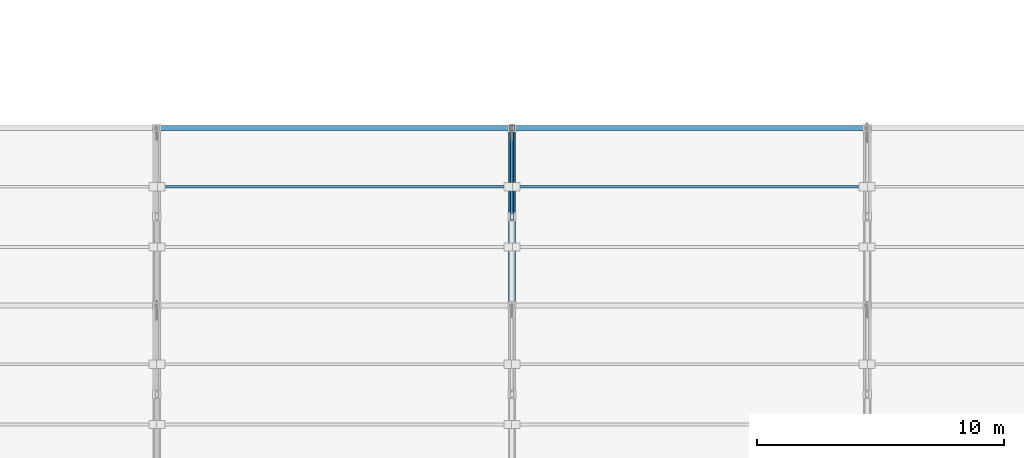
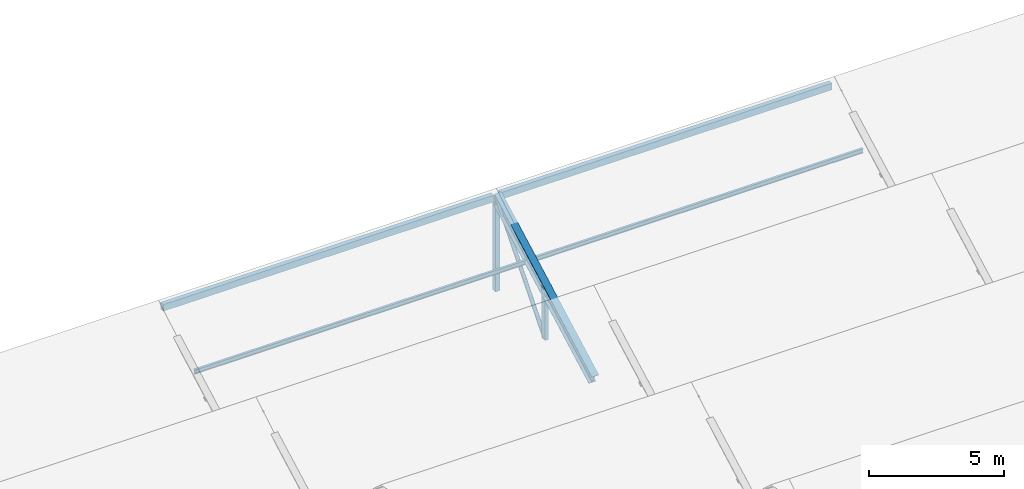
# One storey, part 19 of 51: 8 members.
"""IFC4 building model written with IfcOpenShell, lengths in metres."""

import ifcopenshell
import ifcopenshell.guid

model = None  # the IFC model being written
_history = None  # IfcOwnerHistory: only IFC2X3 demands one
_inside = {}  # id of a spatial element -> (the spatial element, [elements in it])
_under = {}  # id of a project, library or spatial element -> (it, [spatial elements below it])
_declared = {}  # id of a project -> (the project, [libraries it declares])
_typed = {}  # id of a type object -> (the type object, [elements of that type])
_made_of = {}  # id of a material, layer set ... -> (it, [elements and type objects made of it])


def new_model(schema):
    """Start an empty IFC model of exactly this schema.

    Asked for "IFC4X3", IfcOpenShell would pick the latest addendum, in which some entities
    have other attributes; the version numbers below select the first issue.
    IFC2X3 requires an IfcOwnerHistory on every rooted entity: one is made here for all.
    """
    global model, _history
    if schema == "IFC4X3":
        model = ifcopenshell.file(schema_version=(4, 3, 0, 0))
    else:
        model = ifcopenshell.file(schema=schema)
    _inside.clear()
    _under.clear()
    _declared.clear()
    _typed.clear()
    _made_of.clear()
    _history = None
    if model.schema == "IFC2X3":
        org = make("IfcOrganization", Name="unknown")
        user = make(
            "IfcPersonAndOrganization",
            ThePerson=make("IfcPerson", FamilyName="unknown"),
            TheOrganization=org,
        )
        app = make(
            "IfcApplication",
            ApplicationDeveloper=org,
            Version="unknown",
            ApplicationFullName="unknown",
            ApplicationIdentifier="unknown",
        )
        _history = make(
            "IfcOwnerHistory",
            OwningUser=user,
            OwningApplication=app,
            ChangeAction="ADDED",
            CreationDate=0,
        )
    return model


def make(cls, **values):
    """One entity of the class cls with the attributes given. An attribute that is None is left unset."""
    return model.create_entity(
        cls, **{name: value for name, value in values.items() if value is not None}
    )


def rooted(cls, **values):
    """An entity with a GlobalId (a new one), such as an element, a storey or a relation."""
    return make(cls, GlobalId=ifcopenshell.guid.new(), OwnerHistory=_history, **values)


def si_unit(unit_type, name, prefix=None):
    """IfcSIUnit, for example si_unit("LENGTHUNIT", "METRE", prefix="MILLI")."""
    return make("IfcSIUnit", UnitType=unit_type, Prefix=prefix, Name=name)


def assignment(units):
    """IfcUnitAssignment: the units of a project."""
    return None if units is None else make("IfcUnitAssignment", Units=units)


def point(xyz):
    """IfcCartesianPoint."""
    return None if xyz is None else make("IfcCartesianPoint", Coordinates=xyz)


def direction(xyz):
    """IfcDirection."""
    return None if xyz is None else make("IfcDirection", DirectionRatios=xyz)


def frame(location, z_axis=None, x_axis=None):
    """IfcAxis2Placement3D, a coordinate frame: its origin and axes. An axis left out is left unset."""
    return make(
        "IfcAxis2Placement3D",
        Location=point(location),
        Axis=direction(z_axis),
        RefDirection=direction(x_axis),
    )


def frame_2d(location, x_axis=None):
    """IfcAxis2Placement2D, a coordinate frame in the plane: its origin and x axis."""
    return make(
        "IfcAxis2Placement2D", Location=point(location), RefDirection=direction(x_axis)
    )


def origin():
    """The frame at (0, 0, 0) with its axes left unset."""
    return frame((0.0, 0.0, 0.0))


def origin_2d():
    """The frame at (0, 0) in the plane with its x axis left unset."""
    return frame_2d((0.0, 0.0))


def place(relative_to, where):
    """IfcLocalPlacement: puts the frame where relative to a parent placement (None: the world)."""
    return make(
        "IfcLocalPlacement", PlacementRelTo=relative_to, RelativePlacement=where
    )


def context(
    kind, dimensions, precision=None, world=None, true_north=None, identifier=None
):
    """IfcGeometricRepresentationContext, for example the 3D "Model" context."""
    return make(
        "IfcGeometricRepresentationContext",
        ContextIdentifier=identifier,
        ContextType=kind,
        CoordinateSpaceDimension=dimensions,
        Precision=precision,
        WorldCoordinateSystem=world,
        TrueNorth=true_north,
    )


def subcontext(parent, identifier, kind, view, scale=None):
    """IfcGeometricRepresentationSubContext, for example "Body" below "Model"."""
    return make(
        "IfcGeometricRepresentationSubContext",
        ContextIdentifier=identifier,
        ContextType=kind,
        ParentContext=parent,
        TargetScale=scale,
        TargetView=view,
    )


def project(units=None, contexts=None):
    """IfcProject with its units and contexts."""
    return rooted(
        "IfcProject",
        Name="project",
        RepresentationContexts=contexts,
        UnitsInContext=assignment(units),
    )


def spatial(cls, under=None, at=None, **own):
    """A site, building, storey or space (cls), placed at a placement, below another one or the project."""
    s = rooted(cls, ObjectPlacement=at, **own)
    if under is not None:
        _under.setdefault(under.id(), (under, []))[1].append(s)
    return s


def profile(cls, at=None, kind="AREA", **sizes):
    """A parametric profile (cls). Its sizes go by their IFC names, for example OverallWidth=200.0."""
    return make(cls, ProfileType=kind, Position=at, **sizes)


def hollow_rectangle(**sizes):
    """IfcRectangleHollowProfileDef."""
    return profile("IfcRectangleHollowProfileDef", **sizes)


def hollow_circle(**sizes):
    """IfcCircleHollowProfileDef."""
    return profile("IfcCircleHollowProfileDef", **sizes)


def i_section(**sizes):
    """IfcIShapeProfileDef."""
    return profile("IfcIShapeProfileDef", **sizes)


def extrude(swept, where, along, depth):
    """IfcExtrudedAreaSolid: the profile swept, set in the frame where, extruded along a direction by depth."""
    return make(
        "IfcExtrudedAreaSolid",
        SweptArea=swept,
        Position=where,
        ExtrudedDirection=direction(along),
        Depth=depth,
    )


def shape(context_of_items, identifier, shape_type, items):
    """IfcShapeRepresentation: the items that make up one representation, for example the "Body"."""
    return make(
        "IfcShapeRepresentation",
        ContextOfItems=context_of_items,
        RepresentationIdentifier=identifier,
        RepresentationType=shape_type,
        Items=items,
    )


def material(Name=None, Category=None):
    """IfcMaterial."""
    return make("IfcMaterial", Name=Name, Category=Category)


def material_profile(
    of_material, cross_section, Name=None, Category=None, Priority=None
):
    """IfcMaterialProfile: a cross section and its material."""
    return make(
        "IfcMaterialProfile",
        Name=Name,
        Material=of_material,
        Profile=cross_section,
        Priority=Priority,
        Category=Category,
    )


def profile_set(profiles, Name=None, composite=None):
    """IfcMaterialProfileSet."""
    return make(
        "IfcMaterialProfileSet",
        Name=Name,
        MaterialProfiles=profiles,
        CompositeProfile=composite,
    )


def made_of(thing, what):
    """Note that an element or type object is made of a material, layer set ...; save() writes the relation."""
    if what is not None:
        _made_of.setdefault(what.id(), (what, []))[1].append(thing)
    return thing


def type_object(cls, material=None, **own):
    """A type object (cls), such as IfcWallType, which elements share."""
    return made_of(rooted(cls, **own), material)


def element(
    cls,
    number,
    at=None,
    inside=None,
    cuts=None,
    type_object=None,
    material=None,
    context=None,
    identifier="Body",
    shape_type=None,
    held_by="IfcProductDefinitionShape",
    body=None,
    shapes=None,
    **own,
):
    """One element of the class cls, such as IfcWall. Its Tag is "e" and its number.

    at: its placement. inside: the storey or other place that contains it. cuts: it is an
    opening in that element (IfcRelVoidsElement). A single representation is given by context,
    identifier, shape_type and body (its items); several are given by shapes. held_by: the class
    of the entity that holds the representations. save() writes the other relations.
    """
    e = rooted(cls, Tag="e%d" % number, ObjectPlacement=at, **own)
    if body is not None:
        shapes = [shape(context, identifier, shape_type, body)]
    if shapes is not None:
        e.Representation = make(held_by, Representations=shapes)
    if inside is not None:
        _inside.setdefault(inside.id(), (inside, []))[1].append(e)
    if cuts is not None:
        rooted(
            "IfcRelVoidsElement", RelatingBuildingElement=cuts, RelatedOpeningElement=e
        )
    if type_object is not None:
        _typed.setdefault(type_object.id(), (type_object, []))[1].append(e)
    return made_of(e, material)


def aggregate(whole, parts):
    """IfcRelAggregates: a whole, such as a stair, and the parts it consists of."""
    return rooted("IfcRelAggregates", RelatingObject=whole, RelatedObjects=parts)


def save(model, path):
    """Write the relations noted so far, then the file.

    IfcRelAggregates (storeys below a building ...), IfcRelContainedInSpatialStructure (elements
    in a storey), IfcRelDefinesByType, IfcRelAssociatesMaterial and IfcRelDeclares: one each for
    every whole, place, type object, material and project.
    """
    for whole, parts in _under.values():
        aggregate(whole, parts)
    for where, things in _inside.values():
        rooted(
            "IfcRelContainedInSpatialStructure",
            RelatedElements=things,
            RelatingStructure=where,
        )
    for kind, things in _typed.values():
        rooted("IfcRelDefinesByType", RelatedObjects=things, RelatingType=kind)
    for what, things in _made_of.values():
        rooted("IfcRelAssociatesMaterial", RelatedObjects=things, RelatingMaterial=what)
    for by, libraries in _declared.values():
        rooted("IfcRelDeclares", RelatingContext=by, RelatedDefinitions=libraries)
    model.write(path)


model = new_model("IFC4")

# Units and contexts
model_context = context("Model", 3, precision=1e-05, world=origin(), true_north=direction((0.0, 1.0)))
body_context = subcontext(model_context, "Body", "Model", "MODEL_VIEW")
ifc_project = project(units=[si_unit("LENGTHUNIT", "METRE"), si_unit("AREAUNIT", "SQUARE_METRE"), si_unit("VOLUMEUNIT", "CUBIC_METRE"), si_unit("PLANEANGLEUNIT", "RADIAN"), si_unit("MASSUNIT", "GRAM", prefix="KILO")], contexts=[model_context])

# Site, building, storey
site_placement = place(None, origin())
site = spatial("IfcSite", under=ifc_project, at=site_placement, CompositionType="ELEMENT")
building_placement = place(site_placement, origin())
building = spatial("IfcBuilding", under=site, at=building_placement, Name="Valkovuoma Quantum and Materials Research Institute", CompositionType="ELEMENT")
storey_placement = place(building_placement, frame((0.0, 0.0, 17.280029296875)))
storey = spatial("IfcBuildingStorey", under=building, at=storey_placement, Name="L04", CompositionType="ELEMENT", Elevation=17.280029296875)

# Members
ifc_material_1 = material(Name="Steel S355J2H", Category="steel")
ifc_material_profile_1 = material_profile(ifc_material_1, hollow_circle(Radius=0.084228515625, WallThickness=0.008056640625, at=origin_2d()), Name="Steel S355J2H")
ifc_profile_set_1 = profile_set([ifc_material_profile_1], Name="Steel S355J2H")
member_type_1 = type_object("IfcMemberType", Name="Mem-M-BRC168", PredefinedType="BRACE", material=ifc_profile_set_1)
member_1_placement = place(storey_placement, frame((72.0, 61.199951171875, -0.35009765625), z_axis=(0.0, 0.647241890385, 0.762284681291), x_axis=(-1.0, 0.0, 0.0)))
element("IfcMember", 1, at=member_1_placement, inside=storey, type_object=member_type_1, Name="L04 VOL2 sawtooth web brace 3.4B", PredefinedType="BRACE", context=body_context, shape_type="SweptSolid", body=[
    extrude(hollow_circle(Radius=0.084228515625, WallThickness=0.008056640625, at=origin_2d()), origin(), (0.0, 0.0, 1.0), 5.562255859375),
])
ifc_material_2 = material(Name="Steel S355J2H", Category="steel")
ifc_material_profile_2 = material_profile(ifc_material_2, hollow_rectangle(XDim=0.199951171875, YDim=0.300048828125, WallThickness=0.012451171875, at=origin_2d()), Name="Steel S355J2H")
ifc_profile_set_2 = profile_set([ifc_material_profile_2], Name="Steel S355J2H")
member_type_2 = type_object("IfcMemberType", Name="Mem-M-CHD300", PredefinedType="CHORD", material=ifc_profile_set_2)
for number, where, z_axis, x_axis, name in (
    (2, (57.75, 64.800048828125, 3.889892578125), (1.0, 0.0, 0.0), (0.0, 1.0, 0.0), "L04 VOL2 ridge chord 4.2"),
    (3, (72.14990234375, 64.800048828125, 3.889892578125), (1.0, 0.0, 0.0), (0.0, 1.0, 0.0), "L04 VOL2 ridge chord 4.3"),
):
    element("IfcMember", number, at=place(storey_placement, frame(where, z_axis=z_axis, x_axis=x_axis)), inside=storey, type_object=member_type_2, Name=name, PredefinedType="CHORD", context=body_context, shape_type="SweptSolid", body=[
        extrude(hollow_rectangle(XDim=0.199951171875, YDim=0.300048828125, WallThickness=0.012451171875, at=origin_2d()), origin(), (0.0, 0.0, 1.0), 14.10009765625),
    ])
ifc_material_3 = material(Name="Steel S355J2", Category="steel")
ifc_material_profile_3 = material_profile(ifc_material_3, i_section(OverallWidth=0.300048828125, OverallDepth=0.5, WebThickness=0.014404296875, FlangeThickness=0.028076171875, FilletRadius=0.027099609375, at=origin_2d()), Name="Steel S355J2")
ifc_profile_set_3 = profile_set([ifc_material_profile_3], Name="Steel S355J2")
member_type_3 = type_object("IfcMemberType", Name="Mem-M-CHD500", PredefinedType="CHORD", material=ifc_profile_set_3)
member_2_placement = place(storey_placement, frame((72.0, 57.60009765625, 0.0), z_axis=(0.0, 0.879807342754, 0.475330453091), x_axis=(-1.0, 0.0, 0.0)))
element("IfcMember", 4, at=member_2_placement, inside=storey, type_object=member_type_3, Name="L04 VOL2 sawtooth top chord 3.4", PredefinedType="CHORD", context=body_context, shape_type="SweptSolid", body=[
    extrude(i_section(OverallWidth=0.300048828125, OverallDepth=0.5, WebThickness=0.014404296875, FlangeThickness=0.028076171875, FilletRadius=0.027099609375, at=origin_2d()), origin(), (0.0, 0.0, 1.0), 8.18359375),
])
ifc_material_4 = material(Name="Steel S355J2", Category="steel")
ifc_material_profile_4 = material_profile(ifc_material_4, i_section(OverallWidth=0.10009765625, OverallDepth=0.199951171875, WebThickness=0.005615234375, FlangeThickness=0.008544921875, FilletRadius=0.011962890625, at=origin_2d()), Name="Steel S355J2")
ifc_profile_set_4 = profile_set([ifc_material_profile_4], Name="Steel S355J2")
member_type_4 = type_object("IfcMemberType", Name="Mem-M-PRL200", PredefinedType="PURLIN", material=ifc_profile_set_4)
for number, where, z_axis, x_axis, name in (
    (5, (57.75, 62.424072265625, 2.405517578125), (1.0, 0.0, 0.0), (0.0, 1.0, 0.0), "L04 VOL2 roof purlin 4.2.2"),
    (6, (72.14990234375, 62.424072265625, 2.405517578125), (1.0, 0.0, 0.0), (0.0, 1.0, 0.0), "L04 VOL2 roof purlin 4.3.2"),
):
    element("IfcMember", number, at=place(storey_placement, frame(where, z_axis=z_axis, x_axis=x_axis)), inside=storey, type_object=member_type_4, Name=name, PredefinedType="PURLIN", context=body_context, shape_type="SweptSolid", body=[
        extrude(i_section(OverallWidth=0.10009765625, OverallDepth=0.199951171875, WebThickness=0.005615234375, FlangeThickness=0.008544921875, FilletRadius=0.011962890625, at=origin_2d()), origin(), (0.0, 0.0, 1.0), 14.10009765625),
    ])
ifc_material_5 = material(Name="Steel S355J2H", Category="steel")
ifc_material_profile_5 = material_profile(ifc_material_5, hollow_rectangle(XDim=0.199951171875, YDim=0.199951171875, WallThickness=0.010009765625, at=origin_2d()), Name="Steel S355J2H")
ifc_profile_set_5 = profile_set([ifc_material_profile_5], Name="Steel S355J2H")
member_type_5 = type_object("IfcMemberType", Name="Mem-M-STR200", PredefinedType="STRUT", material=ifc_profile_set_5)
member_3_placement = place(storey_placement, frame((72.0, 64.800048828125, -0.35009765625), z_axis=(0.0, 0.0, 1.0), x_axis=(1.0, 0.0, 0.0)))
element("IfcMember", 7, at=member_3_placement, inside=storey, type_object=member_type_5, Name="L04 VOL2 sawtooth north post 3.4", PredefinedType="STRUT", context=body_context, shape_type="SweptSolid", body=[
    extrude(hollow_rectangle(XDim=0.199951171875, YDim=0.199951171875, WallThickness=0.010009765625, at=origin_2d()), origin(), (0.0, 0.0, 1.0), 4.239990234375),
])
ifc_material_6 = material(Name="Steel S355J2H", Category="steel")
ifc_material_profile_6 = material_profile(ifc_material_6, hollow_rectangle(XDim=0.14990234375, YDim=0.25, WallThickness=0.010009765625, at=origin_2d()), Name="Steel S355J2H")
ifc_profile_set_6 = profile_set([ifc_material_profile_6], Name="Steel S355J2H")
member_type_6 = type_object("IfcMemberType", Name="Mem-M-STR250R", PredefinedType="STRUT", material=ifc_profile_set_6)
member_4_placement = place(storey_placement, frame((72.0, 61.199951171875, -0.35009765625), z_axis=(0.0, 0.0, 1.0), x_axis=(1.0, 0.0, 0.0)))
element("IfcMember", 8, at=member_4_placement, inside=storey, type_object=member_type_6, Name="L04 VOL2 sawtooth mid strut 3.4", PredefinedType="STRUT", context=body_context, shape_type="SweptSolid", body=[
    extrude(hollow_rectangle(XDim=0.14990234375, YDim=0.25, WallThickness=0.010009765625, at=origin_2d()), origin(), (0.0, 0.0, 1.0), 2.295166015625),
])

save(model, "model.ifc")
